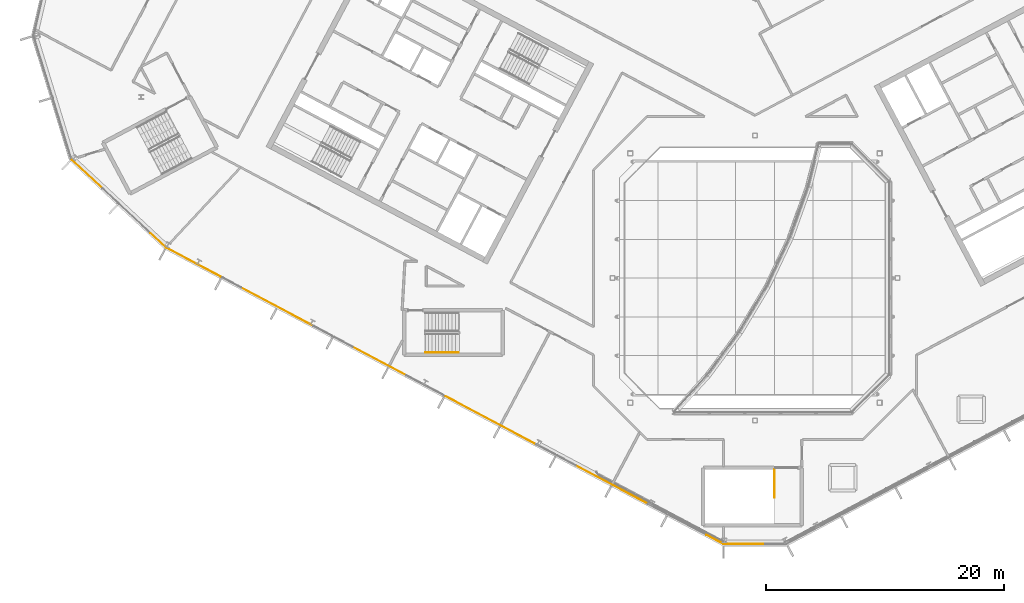
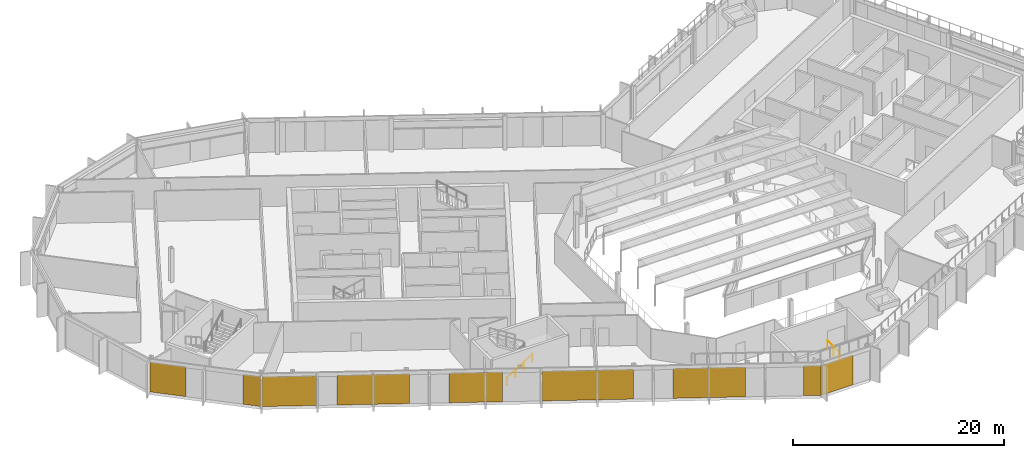
# One storey, part 29 of 35: 9 coverings, 2 railings, 3 elements without a shape of their own.
"""IFC4 building model written with IfcOpenShell, lengths in metres."""

import ifcopenshell
import ifcopenshell.guid

model = None  # the IFC model being written
_history = None  # IfcOwnerHistory: only IFC2X3 demands one
_inside = {}  # id of a spatial element -> (the spatial element, [elements in it])
_under = {}  # id of a project, library or spatial element -> (it, [spatial elements below it])
_declared = {}  # id of a project -> (the project, [libraries it declares])
_typed = {}  # id of a type object -> (the type object, [elements of that type])
_made_of = {}  # id of a material, layer set ... -> (it, [elements and type objects made of it])


def new_model(schema):
    """Start an empty IFC model of exactly this schema.

    Asked for "IFC4X3", IfcOpenShell would pick the latest addendum, in which some entities
    have other attributes; the version numbers below select the first issue.
    IFC2X3 requires an IfcOwnerHistory on every rooted entity: one is made here for all.
    """
    global model, _history
    if schema == "IFC4X3":
        model = ifcopenshell.file(schema_version=(4, 3, 0, 0))
    else:
        model = ifcopenshell.file(schema=schema)
    _inside.clear()
    _under.clear()
    _declared.clear()
    _typed.clear()
    _made_of.clear()
    _history = None
    if model.schema == "IFC2X3":
        org = make("IfcOrganization", Name="unknown")
        user = make(
            "IfcPersonAndOrganization",
            ThePerson=make("IfcPerson", FamilyName="unknown"),
            TheOrganization=org,
        )
        app = make(
            "IfcApplication",
            ApplicationDeveloper=org,
            Version="unknown",
            ApplicationFullName="unknown",
            ApplicationIdentifier="unknown",
        )
        _history = make(
            "IfcOwnerHistory",
            OwningUser=user,
            OwningApplication=app,
            ChangeAction="ADDED",
            CreationDate=0,
        )
    return model


def make(cls, **values):
    """One entity of the class cls with the attributes given. An attribute that is None is left unset."""
    return model.create_entity(
        cls, **{name: value for name, value in values.items() if value is not None}
    )


def rooted(cls, **values):
    """An entity with a GlobalId (a new one), such as an element, a storey or a relation."""
    return make(cls, GlobalId=ifcopenshell.guid.new(), OwnerHistory=_history, **values)


def si_unit(unit_type, name, prefix=None):
    """IfcSIUnit, for example si_unit("LENGTHUNIT", "METRE", prefix="MILLI")."""
    return make("IfcSIUnit", UnitType=unit_type, Prefix=prefix, Name=name)


def assignment(units):
    """IfcUnitAssignment: the units of a project."""
    return None if units is None else make("IfcUnitAssignment", Units=units)


def point(xyz):
    """IfcCartesianPoint."""
    return None if xyz is None else make("IfcCartesianPoint", Coordinates=xyz)


def direction(xyz):
    """IfcDirection."""
    return None if xyz is None else make("IfcDirection", DirectionRatios=xyz)


def frame(location, z_axis=None, x_axis=None):
    """IfcAxis2Placement3D, a coordinate frame: its origin and axes. An axis left out is left unset."""
    return make(
        "IfcAxis2Placement3D",
        Location=point(location),
        Axis=direction(z_axis),
        RefDirection=direction(x_axis),
    )


def frame_2d(location, x_axis=None):
    """IfcAxis2Placement2D, a coordinate frame in the plane: its origin and x axis."""
    return make(
        "IfcAxis2Placement2D", Location=point(location), RefDirection=direction(x_axis)
    )


def origin():
    """The frame at (0, 0, 0) with its axes left unset."""
    return frame((0.0, 0.0, 0.0))


def origin_2d():
    """The frame at (0, 0) in the plane with its x axis left unset."""
    return frame_2d((0.0, 0.0))


def place(relative_to, where):
    """IfcLocalPlacement: puts the frame where relative to a parent placement (None: the world)."""
    return make(
        "IfcLocalPlacement", PlacementRelTo=relative_to, RelativePlacement=where
    )


def context(
    kind, dimensions, precision=None, world=None, true_north=None, identifier=None
):
    """IfcGeometricRepresentationContext, for example the 3D "Model" context."""
    return make(
        "IfcGeometricRepresentationContext",
        ContextIdentifier=identifier,
        ContextType=kind,
        CoordinateSpaceDimension=dimensions,
        Precision=precision,
        WorldCoordinateSystem=world,
        TrueNorth=true_north,
    )


def subcontext(parent, identifier, kind, view, scale=None):
    """IfcGeometricRepresentationSubContext, for example "Body" below "Model"."""
    return make(
        "IfcGeometricRepresentationSubContext",
        ContextIdentifier=identifier,
        ContextType=kind,
        ParentContext=parent,
        TargetScale=scale,
        TargetView=view,
    )


def project(units=None, contexts=None):
    """IfcProject with its units and contexts."""
    return rooted(
        "IfcProject",
        Name="project",
        RepresentationContexts=contexts,
        UnitsInContext=assignment(units),
    )


def spatial(cls, under=None, at=None, **own):
    """A site, building, storey or space (cls), placed at a placement, below another one or the project."""
    s = rooted(cls, ObjectPlacement=at, **own)
    if under is not None:
        _under.setdefault(under.id(), (under, []))[1].append(s)
    return s


def polyline(points):
    """IfcPolyline through the points."""
    return make("IfcPolyline", Points=[point(p) for p in points])


def profile(cls, at=None, kind="AREA", **sizes):
    """A parametric profile (cls). Its sizes go by their IFC names, for example OverallWidth=200.0."""
    return make(cls, ProfileType=kind, Position=at, **sizes)


def rectangle(**sizes):
    """IfcRectangleProfileDef."""
    return profile("IfcRectangleProfileDef", **sizes)


def outline(outer, holes=None, kind="AREA"):
    """IfcArbitraryClosedProfileDef: a profile drawn as a closed curve; with holes, ...WithVoids."""
    if holes is None:
        return make("IfcArbitraryClosedProfileDef", ProfileType=kind, OuterCurve=outer)
    return make(
        "IfcArbitraryProfileDefWithVoids",
        ProfileType=kind,
        OuterCurve=outer,
        InnerCurves=holes,
    )


def extrude(swept, where, along, depth):
    """IfcExtrudedAreaSolid: the profile swept, set in the frame where, extruded along a direction by depth."""
    return make(
        "IfcExtrudedAreaSolid",
        SweptArea=swept,
        Position=where,
        ExtrudedDirection=direction(along),
        Depth=depth,
    )


def shape(context_of_items, identifier, shape_type, items):
    """IfcShapeRepresentation: the items that make up one representation, for example the "Body"."""
    return make(
        "IfcShapeRepresentation",
        ContextOfItems=context_of_items,
        RepresentationIdentifier=identifier,
        RepresentationType=shape_type,
        Items=items,
    )


def material(Name=None, Category=None):
    """IfcMaterial."""
    return make("IfcMaterial", Name=Name, Category=Category)


def layer(
    of_material, thickness, ventilated=None, Name=None, Category=None, Priority=None
):
    """IfcMaterialLayer: one layer of a wall or slab, of a material (None: an air gap)."""
    return make(
        "IfcMaterialLayer",
        Material=of_material,
        LayerThickness=thickness,
        IsVentilated=ventilated,
        Name=Name,
        Category=Category,
        Priority=Priority,
    )


def layer_set(layers, Name=None):
    """IfcMaterialLayerSet."""
    return make("IfcMaterialLayerSet", MaterialLayers=layers, LayerSetName=Name)


def made_of(thing, what):
    """Note that an element or type object is made of a material, layer set ...; save() writes the relation."""
    if what is not None:
        _made_of.setdefault(what.id(), (what, []))[1].append(thing)
    return thing


def type_object(cls, material=None, **own):
    """A type object (cls), such as IfcWallType, which elements share."""
    return made_of(rooted(cls, **own), material)


def element(
    cls,
    number,
    at=None,
    inside=None,
    cuts=None,
    type_object=None,
    material=None,
    context=None,
    identifier="Body",
    shape_type=None,
    held_by="IfcProductDefinitionShape",
    body=None,
    shapes=None,
    **own,
):
    """One element of the class cls, such as IfcWall. Its Tag is "e" and its number.

    at: its placement. inside: the storey or other place that contains it. cuts: it is an
    opening in that element (IfcRelVoidsElement). A single representation is given by context,
    identifier, shape_type and body (its items); several are given by shapes. held_by: the class
    of the entity that holds the representations. save() writes the other relations.
    """
    e = rooted(cls, Tag="e%d" % number, ObjectPlacement=at, **own)
    if body is not None:
        shapes = [shape(context, identifier, shape_type, body)]
    if shapes is not None:
        e.Representation = make(held_by, Representations=shapes)
    if inside is not None:
        _inside.setdefault(inside.id(), (inside, []))[1].append(e)
    if cuts is not None:
        rooted(
            "IfcRelVoidsElement", RelatingBuildingElement=cuts, RelatedOpeningElement=e
        )
    if type_object is not None:
        _typed.setdefault(type_object.id(), (type_object, []))[1].append(e)
    return made_of(e, material)


def aggregate(whole, parts):
    """IfcRelAggregates: a whole, such as a stair, and the parts it consists of."""
    return rooted("IfcRelAggregates", RelatingObject=whole, RelatedObjects=parts)


def save(model, path):
    """Write the relations noted so far, then the file.

    IfcRelAggregates (storeys below a building ...), IfcRelContainedInSpatialStructure (elements
    in a storey), IfcRelDefinesByType, IfcRelAssociatesMaterial and IfcRelDeclares: one each for
    every whole, place, type object, material and project.
    """
    for whole, parts in _under.values():
        aggregate(whole, parts)
    for where, things in _inside.values():
        rooted(
            "IfcRelContainedInSpatialStructure",
            RelatedElements=things,
            RelatingStructure=where,
        )
    for kind, things in _typed.values():
        rooted("IfcRelDefinesByType", RelatedObjects=things, RelatingType=kind)
    for what, things in _made_of.values():
        rooted("IfcRelAssociatesMaterial", RelatedObjects=things, RelatingMaterial=what)
    for by, libraries in _declared.values():
        rooted("IfcRelDeclares", RelatingContext=by, RelatedDefinitions=libraries)
    model.write(path)


model = new_model("IFC4")

# Units and contexts
model_context = context("Model", 3, precision=1e-05, world=origin(), true_north=direction((0.0, 1.0)))
body_context = subcontext(model_context, "Body", "Model", "MODEL_VIEW")
ifc_project = project(units=[si_unit("LENGTHUNIT", "METRE"), si_unit("AREAUNIT", "SQUARE_METRE"), si_unit("VOLUMEUNIT", "CUBIC_METRE"), si_unit("PLANEANGLEUNIT", "RADIAN"), si_unit("MASSUNIT", "GRAM", prefix="KILO")], contexts=[model_context])

# Site, building, storey
site_placement = place(None, origin())
site = spatial("IfcSite", under=ifc_project, at=site_placement, CompositionType="ELEMENT")
building_placement = place(site_placement, origin())
building = spatial("IfcBuilding", under=site, at=building_placement, Name="Cormorant Relay Tower", CompositionType="ELEMENT")
storey_placement = place(building_placement, frame((0.0, 0.0, 324.300048828125)))
storey = spatial("IfcBuildingStorey", under=building, at=storey_placement, Name="L74", CompositionType="ELEMENT", Elevation=324.300048828125)

# Curtain wall, covering
ifc_material_1 = material(Name="Aluminium 6063-T6 anodised bronze", Category="aluminium")
ifc_layer_1 = layer(ifc_material_1, 0.199951171875)
ifc_layer_set_1 = layer_set([ifc_layer_1], Name="CW1 unitised bronze curtain wall with vertical fins")
curtain_wall_type = type_object("IfcCurtainWallType", Name="CW1 unitised bronze curtain wall with vertical fins", PredefinedType="NOTDEFINED", material=ifc_layer_set_1)
curtain_wall_1_placement = place(storey_placement, origin())
curtain_wall_1 = element("IfcCurtainWall", 1, at=curtain_wall_1_placement, inside=storey, type_object=curtain_wall_type, Name="CW1 curtain wall 1", PredefinedType="NOTDEFINED")
ifc_material_2 = material(Name="Pale bronze anodised aluminium insulated panel", Category="aluminium")
ifc_layer_2 = layer(ifc_material_2, 0.0400390625)
ifc_layer_set_2 = layer_set([ifc_layer_2], Name="CW1 pale bronze insulated panel 40")
covering_type = type_object("IfcCoveringType", Name="CW1 pale bronze insulated panel 40", PredefinedType="CLADDING", material=ifc_layer_set_2)
covering_1_placement = place(storey_placement, frame((-0.862548828125, -22.3955078125, 0.0), z_axis=(0.0, 0.0, 1.0), x_axis=(1.0, 0.0, 0.0)))
covering_1 = element("IfcCovering", 2, at=covering_1_placement, type_object=covering_type, Name="CW1 panel S00", PredefinedType="CLADDING", context=body_context, shape_type="SweptSolid", body=[
    extrude(rectangle(XDim=3.422607421875, YDim=0.0400390625, at=origin_2d()), origin(), (0.0, 0.0, 1.0), 3.449951171875),
])
aggregate(curtain_wall_1, [covering_1])

# Curtain wall, coverings
curtain_wall_2_placement = place(storey_placement, origin())
curtain_wall_2 = element("IfcCurtainWall", 3, at=curtain_wall_2_placement, inside=storey, type_object=curtain_wall_type, Name="CW1 curtain wall 15", PredefinedType="NOTDEFINED")
covering_2_placement = place(storey_placement, frame((-56.22607421875, 8.74365234375, 0.0), z_axis=(0.0, 0.0, 1.0), x_axis=(0.731353701619, -0.681998360062, 0.0)))
covering_2 = element("IfcCovering", 4, at=covering_2_placement, type_object=covering_type, Name="CW1 panel S00", PredefinedType="CLADDING", context=body_context, shape_type="SweptSolid", body=[
    extrude(rectangle(XDim=3.485107421875, YDim=0.0400390625, at=origin_2d()), origin(), (0.0, 0.0, 1.0), 3.449951171875),
])
covering_3_placement = place(storey_placement, frame((-50.248779296875, 3.169921875, 0.0), z_axis=(0.0, 0.0, 1.0), x_axis=(0.731353701619, -0.681998360062, 0.0)))
covering_3 = element("IfcCovering", 5, at=covering_3_placement, type_object=covering_type, Name="CW1 panel S03", PredefinedType="CLADDING", context=body_context, shape_type="SweptSolid", body=[
    extrude(rectangle(XDim=1.76025390625, YDim=0.0400390625, at=origin_2d()), origin(), (0.0, 0.0, 1.0), 3.449951171875),
])
aggregate(curtain_wall_2, [covering_2, covering_3])

curtain_wall_3_placement = place(storey_placement, origin())
curtain_wall_3 = element("IfcCurtainWall", 6, at=curtain_wall_3_placement, inside=storey, type_object=curtain_wall_type, Name="CW1 curtain wall 16", PredefinedType="NOTDEFINED")
covering_4_placement = place(storey_placement, frame((-47.25390625, 1.318603515625, 0.0), z_axis=(0.0, 0.0, 1.0), x_axis=(0.882947592859, -0.469471562786, 0.0)))
covering_4 = element("IfcCovering", 7, at=covering_4_placement, type_object=covering_type, Name="CW1 panel S00", PredefinedType="CLADDING", context=body_context, shape_type="SweptSolid", body=[
    extrude(rectangle(XDim=5.16650390625, YDim=0.0400390625, at=origin_2d()), origin(), (0.0, 0.0, 1.0), 3.449951171875),
])
covering_5_placement = place(storey_placement, frame((-40.21240234375, -2.42529296875, 0.0), z_axis=(0.0, 0.0, 1.0), x_axis=(0.882947592859, -0.469471562786, 0.0)))
covering_5 = element("IfcCovering", 8, at=covering_5_placement, type_object=covering_type, Name="CW1 panel S02", PredefinedType="CLADDING", context=body_context, shape_type="SweptSolid", body=[
    extrude(rectangle(XDim=6.88330078125, YDim=0.0400390625, at=origin_2d()), origin(), (0.0, 0.0, 1.0), 3.449951171875),
])
covering_6_placement = place(storey_placement, frame((-31.618408203125, -6.994873046875, 0.0), z_axis=(0.0, 0.0, 1.0), x_axis=(0.882947592859, -0.469471562786, 0.0)))
covering_6 = element("IfcCovering", 9, at=covering_6_placement, type_object=covering_type, Name="CW1 panel S05", PredefinedType="CLADDING", context=body_context, shape_type="SweptSolid", body=[
    extrude(rectangle(XDim=5.083251953125, YDim=0.0400390625, at=origin_2d()), origin(), (0.0, 0.0, 1.0), 3.449951171875),
])
covering_7_placement = place(storey_placement, frame((-22.22998046875, -11.98681640625, 0.0), z_axis=(0.0, 0.0, 1.0), x_axis=(0.882947592859, -0.469471562786, 0.0)))
covering_7 = element("IfcCovering", 10, at=covering_7_placement, type_object=covering_type, Name="CW1 panel S07", PredefinedType="CLADDING", context=body_context, shape_type="SweptSolid", body=[
    extrude(rectangle(XDim=8.68310546875, YDim=0.0400390625, at=origin_2d()), origin(), (0.0, 0.0, 1.0), 3.449951171875),
])
covering_8_placement = place(storey_placement, frame((-12.046875, -17.401123046875, 0.0), z_axis=(0.0, 0.0, 1.0), x_axis=(0.882947592859, -0.469471562786, 0.0)))
covering_8 = element("IfcCovering", 11, at=covering_8_placement, type_object=covering_type, Name="CW1 panel S10", PredefinedType="CLADDING", context=body_context, shape_type="SweptSolid", body=[
    extrude(rectangle(XDim=6.88330078125, YDim=0.0400390625, at=origin_2d()), origin(), (0.0, 0.0, 1.0), 3.449951171875),
])
covering_9_placement = place(storey_placement, frame((-3.383056640625, -22.0078125, 0.0), z_axis=(0.0, 0.0, 1.0), x_axis=(0.882947592859, -0.469471562786, 0.0)))
covering_9 = element("IfcCovering", 12, at=covering_9_placement, type_object=covering_type, Name="CW1 panel S13", PredefinedType="CLADDING", context=body_context, shape_type="SweptSolid", body=[
    extrude(rectangle(XDim=1.6416015625, YDim=0.0400390625, at=origin_2d()), origin(), (0.0, 0.0, 1.0), 3.449951171875),
])
aggregate(curtain_wall_3, [covering_4, covering_5, covering_6, covering_7, covering_8, covering_9])

# Railings
ifc_material_3 = material(Name="Steel ASTM A572 Grade 50 (Fy 345 MPa)", Category="steel")
railing_type_1 = type_object("IfcRailingType", Name="Stair guard 1100", PredefinedType="GUARDRAIL", material=ifc_material_3)
railing_1_placement = place(storey_placement, frame((1.64990234375, -16.125, 0.0)))
element("IfcRailing", 13, at=railing_1_placement, inside=storey, type_object=railing_type_1, Name="L74 RK1 top well guard 1", PredefinedType="GUARDRAIL", context=body_context, shape_type="SweptSolid", body=[
    extrude(outline(polyline([(0.022216796875, 0.00927734375), (0.00927734375, 0.022216796875), (-0.00927734375, 0.022216796875), (-0.022216796875, 0.00927734375), (-0.022216796875, -0.00927734375), (-0.00927734375, -0.022216796875), (0.00927734375, -0.022216796875), (0.022216796875, -0.00927734375), (0.022216796875, 0.00927734375)])), frame((0.0, 0.0, 1.076171875), z_axis=(0.0, -1.0, 0.0), x_axis=(1.0, 0.0, 0.0)), (0.0, 0.0, 1.0), 2.35009765625),
    extrude(outline(polyline([(0.019287109375, 0.008056640625), (0.008056640625, 0.019287109375), (-0.008056640625, 0.019287109375), (-0.019287109375, 0.008056640625), (-0.019287109375, -0.008056640625), (-0.008056640625, -0.019287109375), (0.008056640625, -0.019287109375), (0.019287109375, -0.008056640625), (0.019287109375, 0.008056640625)])), origin(), (0.0, 0.0, 1.0), 1.052001953125),
    extrude(outline(polyline([(0.019287109375, 0.008056640625), (0.008056640625, 0.019287109375), (-0.008056640625, 0.019287109375), (-0.019287109375, 0.008056640625), (-0.019287109375, -0.008056640625), (-0.008056640625, -0.019287109375), (0.008056640625, -0.019287109375), (0.019287109375, -0.008056640625), (0.019287109375, 0.008056640625)])), frame((0.0, -1.175048828125, 0.0)), (0.0, 0.0, 1.0), 1.052001953125),
    extrude(outline(polyline([(0.019287109375, 0.008056640625), (0.008056640625, 0.019287109375), (-0.008056640625, 0.019287109375), (-0.019287109375, 0.008056640625), (-0.019287109375, -0.008056640625), (-0.008056640625, -0.019287109375), (0.008056640625, -0.019287109375), (0.019287109375, -0.008056640625), (0.019287109375, 0.008056640625)])), frame((0.0, -2.35009765625, 0.0)), (0.0, 0.0, 1.0), 1.052001953125),
])
ifc_material_4 = material(Name="Steel ASTM A572 Grade 50 (Fy 345 MPa)", Category="steel")
railing_type_2 = type_object("IfcRailingType", Name="Stair handrail 900", PredefinedType="HANDRAIL", material=ifc_material_4)
railing_2_placement = place(storey_placement, frame((-27.75, -6.27490234375, 0.17724609375)))
element("IfcRailing", 14, at=railing_2_placement, inside=storey, type_object=railing_type_2, Name="L74 RC1 stair handrail 1", PredefinedType="HANDRAIL", context=body_context, shape_type="SweptSolid", body=[
    extrude(outline(polyline([(0.022216796875, 0.00927734375), (0.00927734375, 0.022216796875), (-0.00927734375, 0.022216796875), (-0.022216796875, 0.00927734375), (-0.022216796875, -0.00927734375), (-0.00927734375, -0.022216796875), (0.00927734375, -0.022216796875), (0.022216796875, -0.00927734375), (0.022216796875, 0.00927734375)])), frame((0.0, 0.0, 0.8759765625), z_axis=(0.844908973607, 0.0, 0.534910110503), x_axis=(0.0, 1.0, 0.0)), (0.0, 0.0, 1.0), 3.31396484375),
    extrude(outline(polyline([(0.019287109375, 0.008056640625), (0.008056640625, 0.019287109375), (-0.008056640625, 0.019287109375), (-0.019287109375, 0.008056640625), (-0.019287109375, -0.008056640625), (-0.008056640625, -0.019287109375), (0.008056640625, -0.019287109375), (0.019287109375, -0.008056640625), (0.019287109375, 0.008056640625)])), origin(), (0.0, 0.0, 1.0), 0.851806640625),
    extrude(outline(polyline([(0.019287109375, 0.008056640625), (0.008056640625, 0.019287109375), (-0.008056640625, 0.019287109375), (-0.019287109375, 0.008056640625), (-0.019287109375, -0.008056640625), (-0.008056640625, -0.019287109375), (0.008056640625, -0.019287109375), (0.019287109375, -0.008056640625), (0.019287109375, 0.008056640625)])), frame((0.933349609375, 0.0, 0.5908203125)), (0.0, 0.0, 1.0), 0.851806640625),
    extrude(outline(polyline([(0.019287109375, 0.008056640625), (0.008056640625, 0.019287109375), (-0.008056640625, 0.019287109375), (-0.019287109375, 0.008056640625), (-0.019287109375, -0.008056640625), (-0.008056640625, -0.019287109375), (0.008056640625, -0.019287109375), (0.019287109375, -0.008056640625), (0.019287109375, 0.008056640625)])), frame((1.86669921875, 0.0, 1.181884765625)), (0.0, 0.0, 1.0), 0.851806640625),
    extrude(outline(polyline([(0.019287109375, 0.008056640625), (0.008056640625, 0.019287109375), (-0.008056640625, 0.019287109375), (-0.019287109375, 0.008056640625), (-0.019287109375, -0.008056640625), (-0.008056640625, -0.019287109375), (0.008056640625, -0.019287109375), (0.019287109375, -0.008056640625), (0.019287109375, 0.008056640625)])), frame((2.800048828125, 0.0, 1.772705078125)), (0.0, 0.0, 1.0), 0.851806640625),
])

save(model, "model.ifc")
